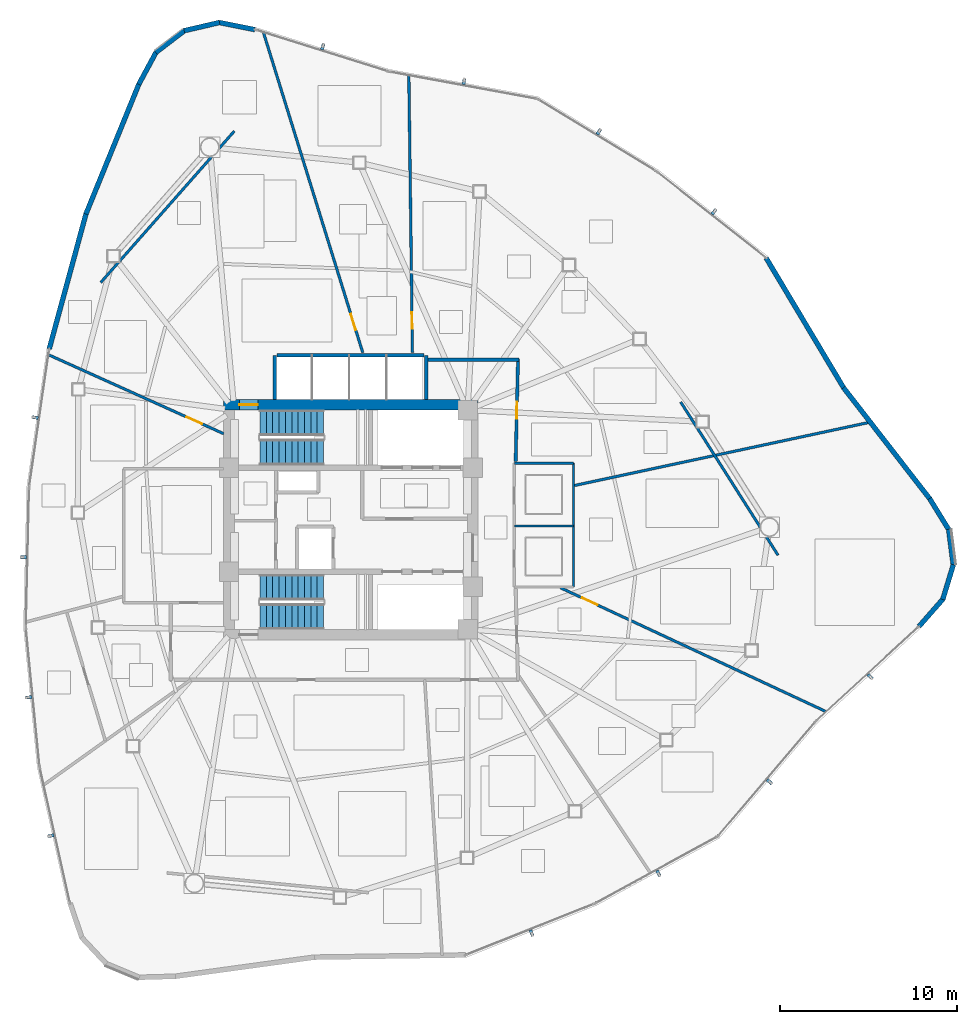
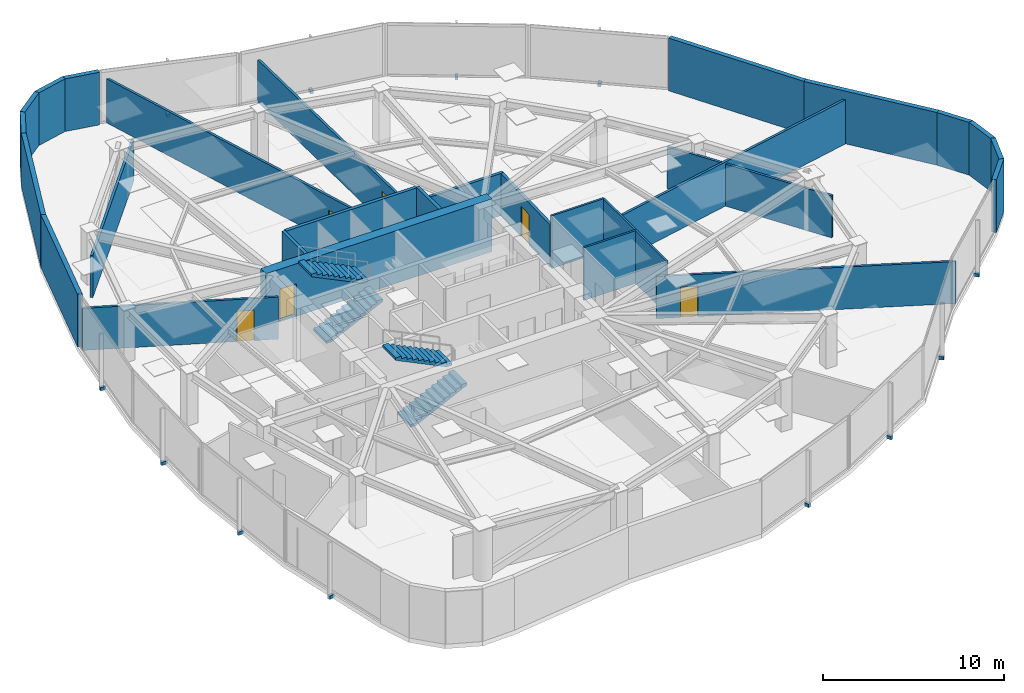
# One storey, part 12 of 16: 28 walls, 12 discrete accessories, 6 doors, 4 stair flights, 6 openings, 2 elements without a shape of their own.
"""IFC4 building model written with IfcOpenShell, lengths in metres."""

from ifc_helpers import new_model, si_unit, direction, frame, frame_2d, origin, origin_2d, place, context, subcontext, project, spatial, polyline, rectangle, outline, extrude, source, transform, mapped, material, layer, layer_set, type_object, type_shapes, element, fill, aggregate, save


model = new_model("IFC4")

# Units and contexts
model_context = context("Model", 3, precision=1e-05, world=origin(), true_north=direction((0.0, 1.0)))
body_context = subcontext(model_context, "Body", "Model", "MODEL_VIEW")
ifc_project = project(units=[si_unit("LENGTHUNIT", "METRE"), si_unit("AREAUNIT", "SQUARE_METRE"), si_unit("VOLUMEUNIT", "CUBIC_METRE"), si_unit("PLANEANGLEUNIT", "RADIAN"), si_unit("MASSUNIT", "GRAM", prefix="KILO")], contexts=[model_context])

# Site, building, storey
site_placement = place(None, origin())
site = spatial("IfcSite", under=ifc_project, at=site_placement, CompositionType="ELEMENT")
building_placement = place(site_placement, origin())
building = spatial("IfcBuilding", under=site, at=building_placement, Name="Tavelor Broadcast Tower", CompositionType="ELEMENT")
storey_placement = place(building_placement, frame((0.0, 0.0, 138.699951171875)))
storey = spatial("IfcBuildingStorey", under=building, at=storey_placement, Name="L32", CompositionType="ELEMENT", Elevation=138.699951171875)

# Wall, opening, door
ifc_material_1 = material(Name="Concrete C60/75", Category="concrete")
ifc_layer_1 = layer(ifc_material_1, 0.60009765625)
ifc_layer_set_1 = layer_set([ifc_layer_1], Name="Concrete C60/75")
wall_type_1 = type_object("IfcWallType", Name="Core Shear Wall 600 mm", PredefinedType="SHEAR", material=ifc_layer_set_1)
wall_1_placement = place(storey_placement, frame((42.800048828125, 51.5, 0.0), z_axis=(0.0, 0.0, 1.0), x_axis=(1.0, 0.0, 0.0)))
wall_1 = element("IfcWall", 1, at=wall_1_placement, inside=storey, type_object=wall_type_1, Name="L32 Central Core Shear Wall N", PredefinedType="SHEAR", context=body_context, shape_type="SweptSolid", body=[
    extrude(rectangle(XDim=14.39990234375, YDim=0.60009765625, at=frame_2d((7.199951171875, 0.0))), origin(), (0.0, 0.0, 1.0), 3.550048828125),
])
opening_1_placement = place(wall_1_placement, frame((0.8798828125, 0.0, 0.0)))
opening_1 = element("IfcOpeningElement", 2, at=opening_1_placement, cuts=wall_1, Name="Opening DR11", PredefinedType="OPENING", context=body_context, shape_type="SweptSolid", body=[
    extrude(rectangle(XDim=1.050048828125, YDim=2.199951171875, at=frame_2d((0.52490234375, 1.10009765625))), frame((0.0, 0.31005859375, 0.0), z_axis=(0.0, -1.0, 0.0), x_axis=(1.0, 0.0, 0.0)), (0.0, 0.0, 1.0), 0.6201171875),
])
ifc_material_2 = material(Name="Steel S355", Category="steel")
door_type_1 = type_object("IfcDoorType", Name="Stair Core Fire Escape Door 1050x2200", OperationType="NOTDEFINED", PredefinedType="DOOR", material=ifc_material_2)
door_1_placement = place(opening_1_placement, origin())
door_1 = element("IfcDoor", 3, at=door_1_placement, inside=storey, type_object=door_type_1, Name="L32 Stair ST1 Protected Exit Door", OperationType="SINGLE_SWING_LEFT", OverallHeight=2.199951171875, OverallWidth=1.050048828125, PredefinedType="DOOR", context=body_context, shape_type="SweptSolid", body=[
    extrude(rectangle(XDim=1.050048828125, YDim=2.199951171875, at=frame_2d((0.52490234375, 1.10009765625))), frame((0.0, 0.02490234375, 0.0), z_axis=(0.0, -1.0, 0.0), x_axis=(1.0, 0.0, 0.0)), (0.0, 0.0, 1.0), 0.050048828125),
])
fill(opening_1, door_1)

# Wall
ifc_material_3 = material(Name="Calcium Silicate Fire Board 180 mm", Category="gypsum")
ifc_layer_2 = layer(ifc_material_3, 0.179931640625)
ifc_layer_set_2 = layer_set([ifc_layer_2], Name="Calcium Silicate Fire Board 180 mm")
wall_type_2 = type_object("IfcWallType", Name="Fire-Rated Corridor Partition Wall 180 mm", PredefinedType="PARTITIONING", material=ifc_layer_set_2)
wall_2_placement = place(storey_placement, frame((54.300048828125, 54.050048828125, 0.0), z_axis=(0.0, 0.0, 1.0), x_axis=(1.0, 0.0, 0.0)))
element("IfcWall", 4, at=wall_2_placement, inside=storey, type_object=wall_type_2, Name="L32 Corridor Compartment Wall 01", PredefinedType="PARTITIONING", context=body_context, shape_type="SweptSolid", body=[
    extrude(rectangle(XDim=5.199951171875, YDim=0.179931640625, at=frame_2d((2.60009765625, 0.0))), origin(), (0.0, 0.0, 1.0), 2.8349609375),
])

# Wall, opening, door
wall_3_placement = place(storey_placement, frame((59.451171875, 54.10009765625, 0.0), z_axis=(0.0, 0.0, 1.0), x_axis=(-0.023271046154, -0.999729192537, 0.0)))
wall_3 = element("IfcWall", 5, at=wall_3_placement, inside=storey, type_object=wall_type_2, Name="L32 Corridor Compartment Wall 02", PredefinedType="PARTITIONING", context=body_context, shape_type="SweptSolid", body=[
    extrude(rectangle(XDim=5.801513671875, YDim=0.179931640625, at=frame_2d((2.90087890625, 0.0))), origin(), (0.0, 0.0, 1.0), 2.8349609375),
])
opening_2_placement = place(wall_3_placement, frame((2.42578125, 0.0, 0.0)))
opening_2 = element("IfcOpeningElement", 6, at=opening_2_placement, cuts=wall_3, Name="Opening DR18", PredefinedType="OPENING", context=body_context, shape_type="SweptSolid", body=[
    extrude(rectangle(XDim=0.949951171875, YDim=2.050048828125, at=frame_2d((0.47509765625, 1.02490234375))), frame((0.0, 0.10009765625, 0.0), z_axis=(0.0, -1.0, 0.0), x_axis=(1.0, 0.0, 0.0)), (0.0, 0.0, 1.0), 0.199951171875),
])
ifc_material_4 = material(Name="Timber Solid Core Hardwood", Category="wood")
door_type_2 = type_object("IfcDoorType", Name="Corridor Rated Compartment Door 950x2050", OperationType="NOTDEFINED", PredefinedType="DOOR", material=ifc_material_4)
door_2_placement = place(opening_2_placement, origin())
door_2 = element("IfcDoor", 7, at=door_2_placement, inside=storey, type_object=door_type_2, Name="L32 Talent Script Den Door R7", OperationType="SINGLE_SWING_RIGHT", OverallHeight=2.050048828125, OverallWidth=0.949951171875, PredefinedType="DOOR", context=body_context, shape_type="SweptSolid", body=[
    extrude(rectangle(XDim=0.949951171875, YDim=2.050048828125, at=frame_2d((0.47509765625, 1.02490234375))), frame((0.0, 0.02490234375, 0.0), z_axis=(0.0, -1.0, 0.0), x_axis=(1.0, 0.0, 0.0)), (0.0, 0.0, 1.0), 0.050048828125),
])
fill(opening_2, door_2)

# Walls
ifc_material_5 = material(Name="Precast Concrete C40/50", Category="concrete")
ifc_layer_3 = layer(ifc_material_5, 0.280029296875)
ifc_layer_set_3 = layer_set([ifc_layer_3], Name="Precast Concrete C40/50")
wall_type_3 = type_object("IfcWallType", Name="Insulated Precast Terracotta Facade Wall 280 mm", PredefinedType="STANDARD", material=ifc_layer_set_3)
wall_4_placement = place(storey_placement, frame((44.561767578125, 72.731201171875, 0.0), z_axis=(0.0, 0.0, 1.0), x_axis=(-0.98078915881, 0.195070822936, 0.0)))
element("IfcWall", 8, at=wall_4_placement, inside=storey, type_object=wall_type_3, Name="L32 Rounded Corner Structural Cladding Pier 01", PredefinedType="STANDARD", context=body_context, shape_type="SweptSolid", body=[
    extrude(rectangle(XDim=2.06640625, YDim=0.280029296875, at=frame_2d((1.033203125, 0.0))), origin(), (0.0, 0.0, 1.0), 3.550048828125),
])
for number, where, z_axis, x_axis, name in (
    (9, (42.564697265625, 73.134765625, 0.0), (0.0, 0.0, 1.0), (-0.97418452395, -0.225753213258, 0.0), "L32 Rounded Corner Structural Cladding Pier 02"),
    (10, (40.58935546875, 72.683349609375, 0.0), (0.0, 0.0, 1.0), (-0.794924100624, -0.606708887562, 0.0), "L32 Rounded Corner Structural Cladding Pier 03"),
):
    element("IfcWall", number, at=place(storey_placement, frame(where, z_axis=z_axis, x_axis=x_axis)), inside=storey, type_object=wall_type_3, Name=name, PredefinedType="STANDARD", context=body_context, shape_type="SweptSolid", body=[
        extrude(rectangle(XDim=2.0546875, YDim=0.280029296875, at=frame_2d((1.02734375, 0.0))), origin(), (0.0, 0.0, 1.0), 3.550048828125),
    ])
wall_5_placement = place(storey_placement, frame((38.97509765625, 71.458984375, 0.0), z_axis=(0.0, 0.0, 1.0), x_axis=(-0.47482857354, -0.880078306601, 0.0)))
element("IfcWall", 11, at=wall_5_placement, inside=storey, type_object=wall_type_3, Name="L32 Rounded Corner Structural Cladding Pier 04", PredefinedType="STANDARD", context=body_context, shape_type="SweptSolid", body=[
    extrude(rectangle(XDim=2.0771484375, YDim=0.280029296875, at=frame_2d((1.03857421875, 0.0))), origin(), (0.0, 0.0, 1.0), 3.550048828125),
])
wall_6_placement = place(storey_placement, frame((38.00146484375, 69.657958984375, 0.0), z_axis=(0.0, 0.0, 1.0), x_axis=(-0.377471486731, -0.926021207481, 0.0)))
element("IfcWall", 12, at=wall_6_placement, inside=storey, type_object=wall_type_3, Name="L32 Rounded Corner Structural Cladding Pier 05", PredefinedType="STANDARD", context=body_context, shape_type="SweptSolid", body=[
    extrude(rectangle(XDim=7.9501953125, YDim=0.280029296875, at=frame_2d((3.97509765625, 0.0))), origin(), (0.0, 0.0, 1.0), 3.550048828125),
])
wall_7_placement = place(storey_placement, frame((35.01025390625, 62.32421875, 0.0), z_axis=(0.0, 0.0, 1.0), x_axis=(-0.262651548334, -0.964890752447, 0.0)))
element("IfcWall", 13, at=wall_7_placement, inside=storey, type_object=wall_type_3, Name="L32 Rounded Corner Structural Cladding Pier 06", PredefinedType="STANDARD", context=body_context, shape_type="SweptSolid", body=[
    extrude(rectangle(XDim=7.938232421875, YDim=0.280029296875, at=frame_2d((3.96923828125, 0.0))), origin(), (0.0, 0.0, 1.0), 3.550048828125),
])
wall_8_placement = place(storey_placement, frame((82.135009765625, 38.961669921875, 0.0), z_axis=(0.0, 0.0, 1.0), x_axis=(0.659399160017, 0.751793021894, 0.0)))
element("IfcWall", 14, at=wall_8_placement, inside=storey, type_object=wall_type_3, Name="L32 Rounded Corner Structural Cladding Pier 21", PredefinedType="STANDARD", context=body_context, shape_type="SweptSolid", body=[
    extrude(rectangle(XDim=2.06640625, YDim=0.280029296875, at=frame_2d((1.033203125, 0.0))), origin(), (0.0, 0.0, 1.0), 3.550048828125),
])
wall_9_placement = place(storey_placement, frame((83.483154296875, 40.489501953125, 0.0), z_axis=(0.0, 0.0, 1.0), x_axis=(0.291563452565, 0.956551490056, 0.0)))
element("IfcWall", 15, at=wall_9_placement, inside=storey, type_object=wall_type_3, Name="L32 Rounded Corner Structural Cladding Pier 22", PredefinedType="STANDARD", context=body_context, shape_type="SweptSolid", body=[
    extrude(rectangle(XDim=2.054931640625, YDim=0.280029296875, at=frame_2d((1.02734375, 0.0))), origin(), (0.0, 0.0, 1.0), 3.550048828125),
])
wall_10_placement = place(storey_placement, frame((84.07958984375, 42.42578125, 0.0), z_axis=(0.0, 0.0, 1.0), x_axis=(-0.127850692074, 0.991793426342, 0.0)))
element("IfcWall", 16, at=wall_10_placement, inside=storey, type_object=wall_type_3, Name="L32 Rounded Corner Structural Cladding Pier 23", PredefinedType="STANDARD", context=body_context, shape_type="SweptSolid", body=[
    extrude(rectangle(XDim=2.0546875, YDim=0.280029296875, at=frame_2d((1.02734375, 0.0))), origin(), (0.0, 0.0, 1.0), 3.550048828125),
])
wall_11_placement = place(storey_placement, frame((83.82666015625, 44.43603515625, 0.0), z_axis=(0.0, 0.0, 1.0), x_axis=(-0.524759556433, 0.851250496583, 0.0)))
element("IfcWall", 17, at=wall_11_placement, inside=storey, type_object=wall_type_3, Name="L32 Rounded Corner Structural Cladding Pier 24", PredefinedType="STANDARD", context=body_context, shape_type="SweptSolid", body=[
    extrude(rectangle(XDim=2.077392578125, YDim=0.280029296875, at=frame_2d((1.03857421875, 0.0))), origin(), (0.0, 0.0, 1.0), 3.550048828125),
])
wall_12_placement = place(storey_placement, frame((82.753662109375, 46.1796875, 0.0), z_axis=(0.0, 0.0, 1.0), x_axis=(-0.613223319152, 0.7899095903, 0.0)))
element("IfcWall", 18, at=wall_12_placement, inside=storey, type_object=wall_type_3, Name="L32 Rounded Corner Structural Cladding Pier 25", PredefinedType="STANDARD", context=body_context, shape_type="SweptSolid", body=[
    extrude(rectangle(XDim=7.96728515625, YDim=0.280029296875, at=frame_2d((3.983642578125, 0.0))), origin(), (0.0, 0.0, 1.0), 3.550048828125),
])
wall_13_placement = place(storey_placement, frame((77.885009765625, 52.448486328125, 0.0), z_axis=(0.0, 0.0, 1.0), x_axis=(-0.512462591372, 0.858709550689, 0.0)))
element("IfcWall", 19, at=wall_13_placement, inside=storey, type_object=wall_type_3, Name="L32 Rounded Corner Structural Cladding Pier 26", PredefinedType="STANDARD", context=body_context, shape_type="SweptSolid", body=[
    extrude(rectangle(XDim=8.570556640625, YDim=0.280029296875, at=frame_2d((4.28515625, 0.0))), origin(), (0.0, 0.0, 1.0), 3.550048828125),
])
ifc_material_6 = material(Name="Gypsum Acoustic Plasterboard 150 mm", Category="gypsum")
ifc_layer_4 = layer(ifc_material_6, 0.14990234375)
ifc_layer_set_4 = layer_set([ifc_layer_4], Name="Gypsum Acoustic Plasterboard 150 mm")
wall_type_4 = type_object("IfcWallType", Name="Interior Acoustic Partition Wall 150 mm", PredefinedType="PARTITIONING", material=ifc_layer_set_4)
wall_14_placement = place(storey_placement, frame((43.399658203125, 66.988525390625, 0.0), z_axis=(0.0, 0.0, 1.0), x_axis=(-0.661622343701, -0.749837231881, 0.0)))
element("IfcWall", 20, at=wall_14_placement, inside=storey, type_object=wall_type_4, Name="L32 Corner Tube Brace Furring Wall 1", PredefinedType="PARTITIONING", context=body_context, shape_type="SweptSolid", body=[
    extrude(rectangle(XDim=11.42724609375, YDim=0.14990234375, at=frame_2d((5.713623046875, 0.0))), origin(), (0.0, 0.0, 1.0), 2.8349609375),
])
wall_15_placement = place(storey_placement, frame((74.16259765625, 42.9931640625, 0.0), z_axis=(0.0, 0.0, 1.0), x_axis=(-0.53628142437, 0.844039237166, 0.0)))
element("IfcWall", 21, at=wall_15_placement, inside=storey, type_object=wall_type_4, Name="L32 Corner Tube Brace Furring Wall 3", PredefinedType="PARTITIONING", context=body_context, shape_type="SweptSolid", body=[
    extrude(rectangle(XDim=10.266845703125, YDim=0.14990234375, at=frame_2d((5.13330078125, 0.0))), origin(), (0.0, 0.0, 1.0), 2.8349609375),
])

# Wall, opening, door
wall_16_placement = place(storey_placement, frame((61.8564453125, 41.14990234375, 0.0), z_axis=(0.0, 0.0, 1.0), x_axis=(0.906306749667, -0.42262048638, 0.0)))
wall_16 = element("IfcWall", 22, at=wall_16_placement, inside=storey, type_object=wall_type_4, Name="L32 Radial Compartment Wall 01", PredefinedType="PARTITIONING", context=body_context, shape_type="SweptSolid", body=[
    extrude(rectangle(XDim=16.595703125, YDim=0.14990234375, at=frame_2d((8.2978515625, 0.0))), origin(), (0.0, 0.0, 1.0), 2.8349609375),
])
opening_3_placement = place(wall_16_placement, frame((1.35009765625, 0.0, 0.0)))
opening_3 = element("IfcOpeningElement", 23, at=opening_3_placement, cuts=wall_16, Name="Opening DR18", PredefinedType="OPENING", context=body_context, shape_type="SweptSolid", body=[
    extrude(rectangle(XDim=0.949951171875, YDim=2.050048828125, at=frame_2d((0.47509765625, 1.02490234375))), frame((0.0, 0.0849609375, 0.0), z_axis=(0.0, -1.0, 0.0), x_axis=(1.0, 0.0, 0.0)), (0.0, 0.0, 1.0), 0.169921875),
])
door_3_placement = place(opening_3_placement, origin())
door_3 = element("IfcDoor", 24, at=door_3_placement, inside=storey, type_object=door_type_2, Name="L32 Suite Connecting Door 8", OperationType="SINGLE_SWING_LEFT", OverallHeight=2.050048828125, OverallWidth=0.949951171875, PredefinedType="DOOR", context=body_context, shape_type="SweptSolid", body=[
    extrude(rectangle(XDim=0.949951171875, YDim=2.050048828125, at=frame_2d((0.47509765625, 1.02490234375))), frame((0.0, 0.02490234375, 0.0), z_axis=(0.0, -1.0, 0.0), x_axis=(1.0, 0.0, 0.0)), (0.0, 0.0, 1.0), 0.050048828125),
])
fill(opening_3, door_3)

# Wall
wall_17_placement = place(storey_placement, frame((62.64990234375, 46.9384765625, 0.0), z_axis=(0.0, 0.0, 1.0), x_axis=(0.977819728846, 0.209448270173, 0.0)))
element("IfcWall", 25, at=wall_17_placement, inside=storey, type_object=wall_type_4, Name="L32 Radial Compartment Wall 02", PredefinedType="PARTITIONING", context=body_context, shape_type="SweptSolid", body=[
    extrude(rectangle(XDim=17.123291015625, YDim=0.14990234375, at=frame_2d((8.5615234375, 0.0))), origin(), (0.0, 0.0, 1.0), 2.97509765625),
])

# Wall, opening, door
wall_18_placement = place(storey_placement, frame((53.477294921875, 54.449951171875, 0.0), z_axis=(0.0, 0.0, 1.0), x_axis=(-0.012994596741, 0.999915566663, 0.0)))
wall_18 = element("IfcWall", 26, at=wall_18_placement, inside=storey, type_object=wall_type_4, Name="L32 Radial Compartment Wall 03", PredefinedType="PARTITIONING", context=body_context, shape_type="SweptSolid", body=[
    extrude(rectangle(XDim=15.70654296875, YDim=0.14990234375, at=frame_2d((7.853271484375, 0.0))), origin(), (0.0, 0.0, 1.0), 2.8349609375),
])
opening_4_placement = place(wall_18_placement, frame((1.35009765625, 0.0, 0.0)))
opening_4 = element("IfcOpeningElement", 27, at=opening_4_placement, cuts=wall_18, Name="Opening DR18", PredefinedType="OPENING", context=body_context, shape_type="SweptSolid", body=[
    extrude(rectangle(XDim=0.949951171875, YDim=2.050048828125, at=frame_2d((0.47509765625, 1.02490234375))), frame((0.0, 0.0849609375, 0.0), z_axis=(0.0, -1.0, 0.0), x_axis=(1.0, 0.0, 0.0)), (0.0, 0.0, 1.0), 0.169921875),
])
door_4_placement = place(opening_4_placement, origin())
door_4 = element("IfcDoor", 28, at=door_4_placement, inside=storey, type_object=door_type_2, Name="L32 Suite Connecting Door 6", OperationType="SINGLE_SWING_RIGHT", OverallHeight=2.050048828125, OverallWidth=0.949951171875, PredefinedType="DOOR", context=body_context, shape_type="SweptSolid", body=[
    extrude(rectangle(XDim=0.949951171875, YDim=2.050048828125, at=frame_2d((0.47509765625, 1.02490234375))), frame((0.0, 0.02490234375, 0.0), z_axis=(0.0, -1.0, 0.0), x_axis=(1.0, 0.0, 0.0)), (0.0, 0.0, 1.0), 0.050048828125),
])
fill(opening_4, door_4)

wall_19_placement = place(storey_placement, frame((50.668212890625, 54.449951171875, 0.0), z_axis=(0.0, 0.0, 1.0), x_axis=(-0.29631148368, 0.955091359316, 0.0)))
wall_19 = element("IfcWall", 29, at=wall_19_placement, inside=storey, type_object=wall_type_4, Name="L32 Radial Compartment Wall 04", PredefinedType="PARTITIONING", context=body_context, shape_type="SweptSolid", body=[
    extrude(rectangle(XDim=18.994140625, YDim=0.14990234375, at=frame_2d((9.4970703125, 0.0))), origin(), (0.0, 0.0, 1.0), 2.97509765625),
])
opening_5_placement = place(wall_19_placement, frame((1.35009765625, 0.0, 0.0)))
opening_5 = element("IfcOpeningElement", 30, at=opening_5_placement, cuts=wall_19, Name="Opening DR18", PredefinedType="OPENING", context=body_context, shape_type="SweptSolid", body=[
    extrude(rectangle(XDim=0.949951171875, YDim=2.050048828125, at=frame_2d((0.47509765625, 1.02490234375))), frame((0.0, 0.0849609375, 0.0), z_axis=(0.0, -1.0, 0.0), x_axis=(1.0, 0.0, 0.0)), (0.0, 0.0, 1.0), 0.169921875),
])
door_5_placement = place(opening_5_placement, origin())
door_5 = element("IfcDoor", 31, at=door_5_placement, inside=storey, type_object=door_type_2, Name="L32 Suite Connecting Door 5", OperationType="SINGLE_SWING_LEFT", OverallHeight=2.050048828125, OverallWidth=0.949951171875, PredefinedType="DOOR", context=body_context, shape_type="SweptSolid", body=[
    extrude(rectangle(XDim=0.949951171875, YDim=2.050048828125, at=frame_2d((0.47509765625, 1.02490234375))), frame((0.0, 0.02490234375, 0.0), z_axis=(0.0, -1.0, 0.0), x_axis=(1.0, 0.0, 0.0)), (0.0, 0.0, 1.0), 0.050048828125),
])
fill(opening_5, door_5)

wall_20_placement = place(storey_placement, frame((42.800048828125, 49.867431640625, 0.0), z_axis=(0.0, 0.0, 1.0), x_axis=(-0.911695751271, 0.410865984372, 0.0)))
wall_20 = element("IfcWall", 32, at=wall_20_placement, inside=storey, type_object=wall_type_4, Name="L32 Radial Compartment Wall 05", PredefinedType="PARTITIONING", context=body_context, shape_type="SweptSolid", body=[
    extrude(rectangle(XDim=10.89306640625, YDim=0.14990234375, at=frame_2d((5.446533203125, 0.0))), origin(), (0.0, 0.0, 1.0), 2.8349609375),
])
opening_6_placement = place(wall_20_placement, frame((1.35009765625, 0.0, 0.0)))
opening_6 = element("IfcOpeningElement", 33, at=opening_6_placement, cuts=wall_20, Name="Opening DR18", PredefinedType="OPENING", context=body_context, shape_type="SweptSolid", body=[
    extrude(rectangle(XDim=0.949951171875, YDim=2.050048828125, at=frame_2d((0.47509765625, 1.02490234375))), frame((0.0, 0.0849609375, 0.0), z_axis=(0.0, -1.0, 0.0), x_axis=(1.0, 0.0, 0.0)), (0.0, 0.0, 1.0), 0.169921875),
])
door_6_placement = place(opening_6_placement, origin())
door_6 = element("IfcDoor", 34, at=door_6_placement, inside=storey, type_object=door_type_2, Name="L32 Suite Connecting Door 4", OperationType="SINGLE_SWING_RIGHT", OverallHeight=2.050048828125, OverallWidth=0.949951171875, PredefinedType="DOOR", context=body_context, shape_type="SweptSolid", body=[
    extrude(rectangle(XDim=0.949951171875, YDim=2.050048828125, at=frame_2d((0.47509765625, 1.02490234375))), frame((0.0, 0.02490234375, 0.0), z_axis=(0.0, -1.0, 0.0), x_axis=(1.0, 0.0, 0.0)), (0.0, 0.0, 1.0), 0.050048828125),
])
fill(opening_6, door_6)

# Walls
ifc_material_7 = material(Name="Concrete Blockwork 200 mm", Category="masonry")
ifc_layer_5 = layer(ifc_material_7, 0.199951171875)
ifc_layer_set_5 = layer_set([ifc_layer_5], Name="Concrete Blockwork 200 mm")
wall_type_5 = type_object("IfcWallType", Name="Lift Hoistway Rated Front Wall 200 mm", PredefinedType="PARTITIONING", material=ifc_layer_set_5)
wall_21_placement = place(storey_placement, frame((45.820068359375, 54.300048828125, 0.0), z_axis=(0.0, 0.0, 1.0), x_axis=(1.0, 0.0, 0.0)))
element("IfcWall", 35, at=wall_21_placement, inside=storey, type_object=wall_type_5, Name="L32 High-Rise Lift Hoistway Front Wall", PredefinedType="PARTITIONING", context=body_context, shape_type="SweptSolid", body=[
    extrude(rectangle(XDim=8.309814453125, YDim=0.199951171875, at=frame_2d((4.15478515625, 0.0))), origin(), (0.0, 0.0, 1.0), 3.550048828125),
])
ifc_layer_6 = layer(ifc_material_7, 0.199951171875)
ifc_layer_set_6 = layer_set([ifc_layer_6], Name="Concrete Blockwork 200 mm")
wall_type_6 = type_object("IfcWallType", Name="Lift and Riser Shaft Enclosure Wall 200 mm", PredefinedType="PARTITIONING", material=ifc_layer_set_6)
for number, where, z_axis, x_axis, name in (
    (36, (45.699951171875, 51.800048828125, 0.0), (0.0, 0.0, 1.0), (0.0, 1.0, 0.0), "L32 High-Rise Lift Shaft West Wall"),
    (37, (54.25, 51.800048828125, 0.0), (0.0, 0.0, 1.0), (0.0, 1.0, 0.0), "L32 High-Rise Lift Shaft East Wall"),
):
    element("IfcWall", number, at=place(storey_placement, frame(where, z_axis=z_axis, x_axis=x_axis)), inside=storey, type_object=wall_type_6, Name=name, PredefinedType="PARTITIONING", context=body_context, shape_type="SweptSolid", body=[
        extrude(rectangle(XDim=2.5, YDim=0.199951171875, at=frame_2d((1.25, 0.0))), origin(), (0.0, 0.0, 1.0), 3.550048828125),
    ])
ifc_material_8 = material(Name="Moisture-Resistant Plasterboard 120 mm", Category="gypsum")
ifc_layer_7 = layer(ifc_material_8, 0.1201171875)
ifc_layer_set_7 = layer_set([ifc_layer_7], Name="Moisture-Resistant Plasterboard 120 mm")
wall_type_7 = type_object("IfcWallType", Name="Moisture-Resistant Wet-Room Partition 120 mm", PredefinedType="PARTITIONING", material=ifc_layer_set_7)
for number, where, z_axis, x_axis, name in (
    (38, (59.239990234375, 44.64990234375, 0.0), (0.0, 0.0, 1.0), (1.0, 0.0, 0.0), "L32 Floor Washrooms Divider Wall"),
    (39, (59.239990234375, 48.199951171875, 0.0), (0.0, 0.0, 1.0), (1.0, 0.0, 0.0), "L32 Floor Washrooms North Wall"),
):
    element("IfcWall", number, at=place(storey_placement, frame(where, z_axis=z_axis, x_axis=x_axis)), inside=storey, type_object=wall_type_7, Name=name, PredefinedType="PARTITIONING", context=body_context, shape_type="SweptSolid", body=[
        extrude(rectangle(XDim=3.340087890625, YDim=0.1201171875, at=frame_2d((1.669921875, 0.0))), origin(), (0.0, 0.0, 1.0), 3.550048828125),
    ])
wall_22_placement = place(storey_placement, frame((62.580078125, 41.199951171875, 0.0), z_axis=(0.0, 0.0, 1.0), x_axis=(0.0, 1.0, 0.0)))
element("IfcWall", 40, at=wall_22_placement, inside=storey, type_object=wall_type_7, Name="L32 Floor Washrooms East Wall", PredefinedType="PARTITIONING", context=body_context, shape_type="SweptSolid", body=[
    extrude(rectangle(XDim=7.0, YDim=0.1201171875, at=frame_2d((3.5, 0.0))), origin(), (0.0, 0.0, 1.0), 3.550048828125),
])

# Stair, stair flights
ifc_material_9 = material(Name="Concrete C40/50", Category="concrete")
stair_type = type_object("IfcStairType", Name="Reinforced Concrete Protected Dogleg Stair 1450 mm", PredefinedType="HALF_TURN_STAIR", material=ifc_material_9)
stair_1_placement = place(storey_placement, origin())
stair_1 = element("IfcStair", 41, at=stair_1_placement, inside=storey, type_object=stair_type, Name="L32 Protected Core Exit Stair ST1", PredefinedType="HALF_TURN_STAIR")
stair_flight_type = type_object("IfcStairFlightType", Name="Reinforced Concrete Stair Flight 1450 mm", PredefinedType="STRAIGHT", material=ifc_material_9)
stair_flight_1_placement = place(storey_placement, frame((44.85009765625, 48.824951171875, 0.0), z_axis=(0.0, 0.0, 1.0), x_axis=(1.0, 0.0, 0.0)))
stair_flight_1 = element("IfcStairFlight", 42, at=stair_flight_1_placement, type_object=stair_flight_type, Name="ST1 flight 1", NumberOfRisers=11, NumberOfTreads=10, PredefinedType="STRAIGHT", RiserHeight=0.175, TreadLength=0.36, context=body_context, shape_type="SweptSolid", body=[
    extrude(outline(polyline([(0.0, 0.0), (0.0, 0.175048828125), (0.360107421875, 0.175048828125), (0.360107421875, 0.35009765625), (0.719970703125, 0.35009765625), (0.719970703125, 0.52490234375), (1.080078125, 0.52490234375), (1.080078125, 0.699951171875), (1.43994140625, 0.699951171875), (1.43994140625, 0.875), (1.800048828125, 0.875), (1.800048828125, 1.050048828125), (2.159912109375, 1.050048828125), (2.159912109375, 1.22509765625), (2.52001953125, 1.22509765625), (2.52001953125, 1.39990234375), (2.8798828125, 1.39990234375), (2.8798828125, 1.574951171875), (3.239990234375, 1.574951171875), (3.239990234375, 1.75), (3.60009765625, 1.75), (3.60009765625, 1.925048828125), (3.60009765625, 1.583251953125), (0.3427734375, 0.0), (0.0, 0.0)])), frame((0.0, 0.72509765625, 0.0), z_axis=(0.0, -1.0, 0.0), x_axis=(1.0, 0.0, 0.0)), (0.0, 0.0, 1.0), 1.449951171875),
])
stair_flight_2_placement = place(storey_placement, frame((48.449951171875, 50.47509765625, 1.925048828125), z_axis=(0.0, 0.0, 1.0), x_axis=(-1.0, 0.0, 0.0)))
stair_flight_2 = element("IfcStairFlight", 43, at=stair_flight_2_placement, type_object=stair_flight_type, Name="ST1 flight 2", NumberOfRisers=11, NumberOfTreads=10, PredefinedType="STRAIGHT", RiserHeight=0.175, TreadLength=0.36, context=body_context, shape_type="SweptSolid", body=[
    extrude(outline(polyline([(0.0, 0.0), (0.0, 0.175048828125), (0.360107421875, 0.175048828125), (0.360107421875, 0.35009765625), (0.719970703125, 0.35009765625), (0.719970703125, 0.52490234375), (1.080078125, 0.52490234375), (1.080078125, 0.699951171875), (1.43994140625, 0.699951171875), (1.43994140625, 0.875), (1.800048828125, 0.875), (1.800048828125, 1.050048828125), (2.159912109375, 1.050048828125), (2.159912109375, 1.22509765625), (2.52001953125, 1.22509765625), (2.52001953125, 1.39990234375), (2.8798828125, 1.39990234375), (2.8798828125, 1.574951171875), (3.239990234375, 1.574951171875), (3.239990234375, 1.75), (3.60009765625, 1.75), (3.60009765625, 1.925048828125), (3.60009765625, 1.583251953125), (0.3427734375, 0.0), (0.0, 0.0)])), frame((0.0, 0.72509765625, 0.0), z_axis=(0.0, -1.0, 0.0), x_axis=(1.0, 0.0, 0.0)), (0.0, 0.0, 1.0), 1.449951171875),
])
aggregate(stair_1, [stair_flight_1, stair_flight_2])

stair_2_placement = place(storey_placement, origin())
stair_2 = element("IfcStair", 44, at=stair_2_placement, inside=storey, type_object=stair_type, Name="L32 Protected Core Exit Stair ST2", PredefinedType="HALF_TURN_STAIR")
stair_flight_3_placement = place(storey_placement, frame((44.85009765625, 39.52490234375, 0.0), z_axis=(0.0, 0.0, 1.0), x_axis=(1.0, 0.0, 0.0)))
stair_flight_3 = element("IfcStairFlight", 45, at=stair_flight_3_placement, type_object=stair_flight_type, Name="ST2 flight 1", NumberOfRisers=11, NumberOfTreads=10, PredefinedType="STRAIGHT", RiserHeight=0.175, TreadLength=0.36, context=body_context, shape_type="SweptSolid", body=[
    extrude(outline(polyline([(0.0, 0.0), (0.0, 0.175048828125), (0.360107421875, 0.175048828125), (0.360107421875, 0.35009765625), (0.719970703125, 0.35009765625), (0.719970703125, 0.52490234375), (1.080078125, 0.52490234375), (1.080078125, 0.699951171875), (1.43994140625, 0.699951171875), (1.43994140625, 0.875), (1.800048828125, 0.875), (1.800048828125, 1.050048828125), (2.159912109375, 1.050048828125), (2.159912109375, 1.22509765625), (2.52001953125, 1.22509765625), (2.52001953125, 1.39990234375), (2.8798828125, 1.39990234375), (2.8798828125, 1.574951171875), (3.239990234375, 1.574951171875), (3.239990234375, 1.75), (3.60009765625, 1.75), (3.60009765625, 1.925048828125), (3.60009765625, 1.583251953125), (0.3427734375, 0.0), (0.0, 0.0)])), frame((0.0, 0.72509765625, 0.0), z_axis=(0.0, -1.0, 0.0), x_axis=(1.0, 0.0, 0.0)), (0.0, 0.0, 1.0), 1.449951171875),
])
stair_flight_4_placement = place(storey_placement, frame((48.449951171875, 41.175048828125, 1.925048828125), z_axis=(0.0, 0.0, 1.0), x_axis=(-1.0, 0.0, 0.0)))
stair_flight_4 = element("IfcStairFlight", 46, at=stair_flight_4_placement, type_object=stair_flight_type, Name="ST2 flight 2", NumberOfRisers=11, NumberOfTreads=10, PredefinedType="STRAIGHT", RiserHeight=0.175, TreadLength=0.36, context=body_context, shape_type="SweptSolid", body=[
    extrude(outline(polyline([(0.0, 0.0), (0.0, 0.175048828125), (0.360107421875, 0.175048828125), (0.360107421875, 0.35009765625), (0.719970703125, 0.35009765625), (0.719970703125, 0.52490234375), (1.080078125, 0.52490234375), (1.080078125, 0.699951171875), (1.43994140625, 0.699951171875), (1.43994140625, 0.875), (1.800048828125, 0.875), (1.800048828125, 1.050048828125), (2.159912109375, 1.050048828125), (2.159912109375, 1.22509765625), (2.52001953125, 1.22509765625), (2.52001953125, 1.39990234375), (2.8798828125, 1.39990234375), (2.8798828125, 1.574951171875), (3.239990234375, 1.574951171875), (3.239990234375, 1.75), (3.60009765625, 1.75), (3.60009765625, 1.925048828125), (3.60009765625, 1.583251953125), (0.3427734375, 0.0), (0.0, 0.0)])), frame((0.0, 0.72509765625, 0.0), z_axis=(0.0, -1.0, 0.0), x_axis=(1.0, 0.0, 0.0)), (0.0, 0.0, 1.0), 1.449951171875),
])
aggregate(stair_2, [stair_flight_3, stair_flight_4])

# Discrete accessories
discrete_accessory_type = type_object("IfcDiscreteAccessoryType", Name="Stainless Baguette Outrigger Support Bracket 260x180", PredefinedType="BRACKET", material=ifc_material_2)
shared_shape = source(origin(), body_context, "Body", "SweptSolid", [
    extrude(rectangle(XDim=0.179931640625, YDim=0.340087890625, at=origin_2d()), origin(), (0.0, 0.0, 1.0), 0.216064453125),
])
type_shapes(discrete_accessory_type, [shared_shape])
for number, where, z_axis, x_axis, name in (
    (47, (32.138916015625, 50.78173828125, -0.2578125), (0.0, 0.0, 1.0), (-0.143838066745, -0.989601238154, 0.0), "L32 Baguette Outrigger Bracket 313"),
    (48, (31.47509765625, 42.878173828125, -0.2578125), (0.0, 0.0, 1.0), (-0.023036308188, -0.999734629042, 0.0), "L32 Baguette Outrigger Bracket 314"),
    (49, (31.772705078125, 34.952392578125, -0.2578125), (0.0, 0.0, 1.0), (0.098103986207, -0.995176169274, 0.0), "L32 Baguette Outrigger Bracket 315"),
    (50, (33.02734375, 27.12109375, -0.2578125), (0.0, 0.0, 1.0), (0.217802568899, -0.975992848837, 0.0), "L32 Baguette Outrigger Bracket 316"),
    (51, (60.217529296875, 21.623046875, -0.2578125), (0.0, 0.0, 1.0), (0.929003448964, 0.370071063192, 0.0), "L32 Baguette Outrigger Bracket 317"),
    (52, (67.39404296875, 25.0, -0.2578125), (0.0, 0.0, 1.0), (0.877397487892, 0.479764158979, 0.0), "L32 Baguette Outrigger Bracket 318"),
    (53, (73.676513671875, 30.183837890625, -0.2578125), (0.0, 0.0, 1.0), (0.648518552727, 0.761198848376, 0.0), "L32 Baguette Outrigger Bracket 319"),
    (54, (79.3701171875, 36.123046875, -0.2578125), (0.0, 0.0, 1.0), (0.736333316555, 0.676618982095, 0.0), "L32 Baguette Outrigger Bracket 320"),
    (55, (70.5361328125, 62.41943359375, -0.2578125), (0.0, 0.0, 1.0), (-0.784992666412, 0.61950505541, 0.0), "L32 Baguette Outrigger Bracket 321"),
    (56, (64.0234375, 66.946044921875, -0.2578125), (0.0, 0.0, 1.0), (-0.854277431699, 0.519817342621, 0.0), "L32 Baguette Outrigger Bracket 322"),
    (57, (56.392822265625, 69.794677734375, -0.2578125), (0.0, 0.0, 1.0), (-0.983476816388, 0.1810341173, 0.0), "L32 Baguette Outrigger Bracket 323"),
    (58, (48.402587890625, 71.755859375, -0.2578125), (0.0, 0.0, 1.0), (-0.954135885454, 0.299373866742, 0.0), "L32 Baguette Outrigger Bracket 324"),
):
    element("IfcDiscreteAccessory", number, at=place(storey_placement, frame(where, z_axis=z_axis, x_axis=x_axis)), inside=storey, type_object=discrete_accessory_type, Name=name, PredefinedType="BRACKET", context=body_context, shape_type="MappedRepresentation", body=[
        mapped(shared_shape, transform((0.0, 0.0, 0.0), scale=1.0)),
    ])

save(model, "model.ifc")
